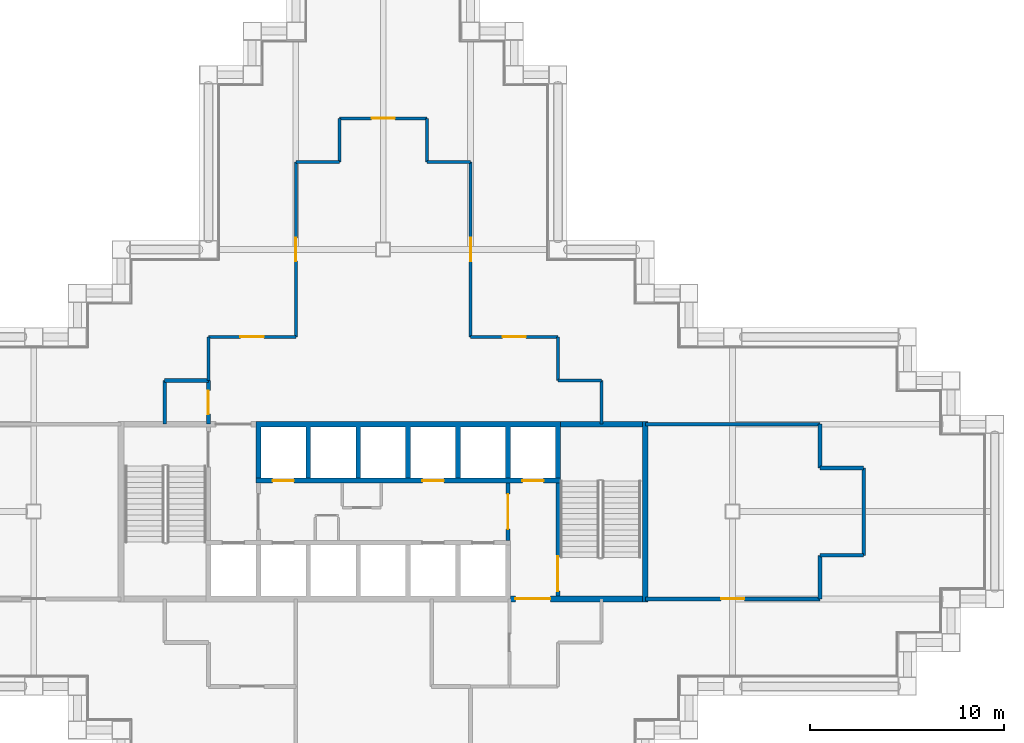
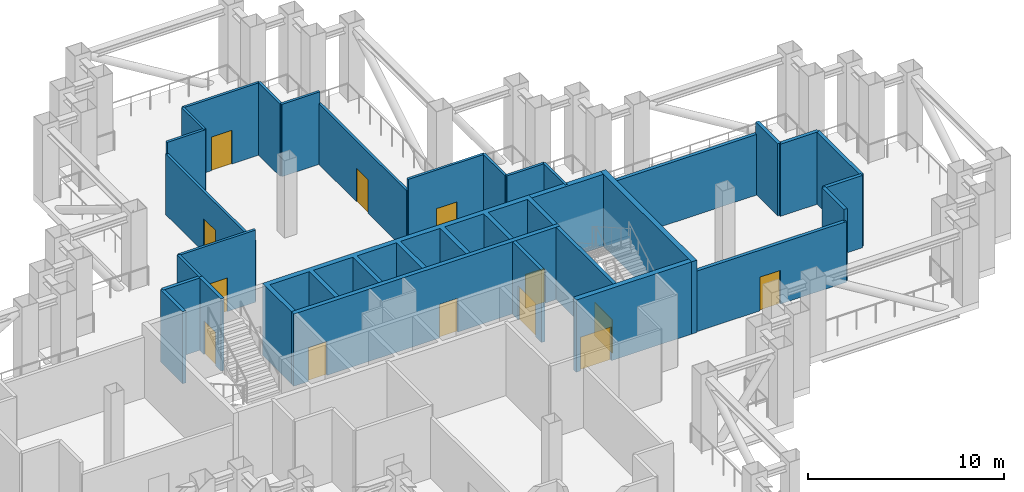
# One storey, part 4 of 10: 30 walls, 13 doors, 13 openings.
"""IFC4 building model written with IfcOpenShell, lengths in metres."""

import ifcopenshell
import ifcopenshell.guid

model = None  # the IFC model being written
_history = None  # IfcOwnerHistory: only IFC2X3 demands one
_inside = {}  # id of a spatial element -> (the spatial element, [elements in it])
_under = {}  # id of a project, library or spatial element -> (it, [spatial elements below it])
_declared = {}  # id of a project -> (the project, [libraries it declares])
_typed = {}  # id of a type object -> (the type object, [elements of that type])
_made_of = {}  # id of a material, layer set ... -> (it, [elements and type objects made of it])


def new_model(schema):
    """Start an empty IFC model of exactly this schema.

    Asked for "IFC4X3", IfcOpenShell would pick the latest addendum, in which some entities
    have other attributes; the version numbers below select the first issue.
    IFC2X3 requires an IfcOwnerHistory on every rooted entity: one is made here for all.
    """
    global model, _history
    if schema == "IFC4X3":
        model = ifcopenshell.file(schema_version=(4, 3, 0, 0))
    else:
        model = ifcopenshell.file(schema=schema)
    _inside.clear()
    _under.clear()
    _declared.clear()
    _typed.clear()
    _made_of.clear()
    _history = None
    if model.schema == "IFC2X3":
        org = make("IfcOrganization", Name="unknown")
        user = make(
            "IfcPersonAndOrganization",
            ThePerson=make("IfcPerson", FamilyName="unknown"),
            TheOrganization=org,
        )
        app = make(
            "IfcApplication",
            ApplicationDeveloper=org,
            Version="unknown",
            ApplicationFullName="unknown",
            ApplicationIdentifier="unknown",
        )
        _history = make(
            "IfcOwnerHistory",
            OwningUser=user,
            OwningApplication=app,
            ChangeAction="ADDED",
            CreationDate=0,
        )
    return model


def make(cls, **values):
    """One entity of the class cls with the attributes given. An attribute that is None is left unset."""
    return model.create_entity(
        cls, **{name: value for name, value in values.items() if value is not None}
    )


def rooted(cls, **values):
    """An entity with a GlobalId (a new one), such as an element, a storey or a relation."""
    return make(cls, GlobalId=ifcopenshell.guid.new(), OwnerHistory=_history, **values)


def si_unit(unit_type, name, prefix=None):
    """IfcSIUnit, for example si_unit("LENGTHUNIT", "METRE", prefix="MILLI")."""
    return make("IfcSIUnit", UnitType=unit_type, Prefix=prefix, Name=name)


def assignment(units):
    """IfcUnitAssignment: the units of a project."""
    return None if units is None else make("IfcUnitAssignment", Units=units)


def point(xyz):
    """IfcCartesianPoint."""
    return None if xyz is None else make("IfcCartesianPoint", Coordinates=xyz)


def direction(xyz):
    """IfcDirection."""
    return None if xyz is None else make("IfcDirection", DirectionRatios=xyz)


def frame(location, z_axis=None, x_axis=None):
    """IfcAxis2Placement3D, a coordinate frame: its origin and axes. An axis left out is left unset."""
    return make(
        "IfcAxis2Placement3D",
        Location=point(location),
        Axis=direction(z_axis),
        RefDirection=direction(x_axis),
    )


def frame_2d(location, x_axis=None):
    """IfcAxis2Placement2D, a coordinate frame in the plane: its origin and x axis."""
    return make(
        "IfcAxis2Placement2D", Location=point(location), RefDirection=direction(x_axis)
    )


def origin():
    """The frame at (0, 0, 0) with its axes left unset."""
    return frame((0.0, 0.0, 0.0))


def place(relative_to, where):
    """IfcLocalPlacement: puts the frame where relative to a parent placement (None: the world)."""
    return make(
        "IfcLocalPlacement", PlacementRelTo=relative_to, RelativePlacement=where
    )


def context(
    kind, dimensions, precision=None, world=None, true_north=None, identifier=None
):
    """IfcGeometricRepresentationContext, for example the 3D "Model" context."""
    return make(
        "IfcGeometricRepresentationContext",
        ContextIdentifier=identifier,
        ContextType=kind,
        CoordinateSpaceDimension=dimensions,
        Precision=precision,
        WorldCoordinateSystem=world,
        TrueNorth=true_north,
    )


def subcontext(parent, identifier, kind, view, scale=None):
    """IfcGeometricRepresentationSubContext, for example "Body" below "Model"."""
    return make(
        "IfcGeometricRepresentationSubContext",
        ContextIdentifier=identifier,
        ContextType=kind,
        ParentContext=parent,
        TargetScale=scale,
        TargetView=view,
    )


def project(units=None, contexts=None):
    """IfcProject with its units and contexts."""
    return rooted(
        "IfcProject",
        Name="project",
        RepresentationContexts=contexts,
        UnitsInContext=assignment(units),
    )


def spatial(cls, under=None, at=None, **own):
    """A site, building, storey or space (cls), placed at a placement, below another one or the project."""
    s = rooted(cls, ObjectPlacement=at, **own)
    if under is not None:
        _under.setdefault(under.id(), (under, []))[1].append(s)
    return s


def polyline(points):
    """IfcPolyline through the points."""
    return make("IfcPolyline", Points=[point(p) for p in points])


def profile(cls, at=None, kind="AREA", **sizes):
    """A parametric profile (cls). Its sizes go by their IFC names, for example OverallWidth=200.0."""
    return make(cls, ProfileType=kind, Position=at, **sizes)


def rectangle(**sizes):
    """IfcRectangleProfileDef."""
    return profile("IfcRectangleProfileDef", **sizes)


def outline(outer, holes=None, kind="AREA"):
    """IfcArbitraryClosedProfileDef: a profile drawn as a closed curve; with holes, ...WithVoids."""
    if holes is None:
        return make("IfcArbitraryClosedProfileDef", ProfileType=kind, OuterCurve=outer)
    return make(
        "IfcArbitraryProfileDefWithVoids",
        ProfileType=kind,
        OuterCurve=outer,
        InnerCurves=holes,
    )


def extrude(swept, where, along, depth):
    """IfcExtrudedAreaSolid: the profile swept, set in the frame where, extruded along a direction by depth."""
    return make(
        "IfcExtrudedAreaSolid",
        SweptArea=swept,
        Position=where,
        ExtrudedDirection=direction(along),
        Depth=depth,
    )


def shape(context_of_items, identifier, shape_type, items):
    """IfcShapeRepresentation: the items that make up one representation, for example the "Body"."""
    return make(
        "IfcShapeRepresentation",
        ContextOfItems=context_of_items,
        RepresentationIdentifier=identifier,
        RepresentationType=shape_type,
        Items=items,
    )


def material(Name=None, Category=None):
    """IfcMaterial."""
    return make("IfcMaterial", Name=Name, Category=Category)


def layer(
    of_material, thickness, ventilated=None, Name=None, Category=None, Priority=None
):
    """IfcMaterialLayer: one layer of a wall or slab, of a material (None: an air gap)."""
    return make(
        "IfcMaterialLayer",
        Material=of_material,
        LayerThickness=thickness,
        IsVentilated=ventilated,
        Name=Name,
        Category=Category,
        Priority=Priority,
    )


def layer_set(layers, Name=None):
    """IfcMaterialLayerSet."""
    return make("IfcMaterialLayerSet", MaterialLayers=layers, LayerSetName=Name)


def made_of(thing, what):
    """Note that an element or type object is made of a material, layer set ...; save() writes the relation."""
    if what is not None:
        _made_of.setdefault(what.id(), (what, []))[1].append(thing)
    return thing


def type_object(cls, material=None, **own):
    """A type object (cls), such as IfcWallType, which elements share."""
    return made_of(rooted(cls, **own), material)


def element(
    cls,
    number,
    at=None,
    inside=None,
    cuts=None,
    type_object=None,
    material=None,
    context=None,
    identifier="Body",
    shape_type=None,
    held_by="IfcProductDefinitionShape",
    body=None,
    shapes=None,
    **own,
):
    """One element of the class cls, such as IfcWall. Its Tag is "e" and its number.

    at: its placement. inside: the storey or other place that contains it. cuts: it is an
    opening in that element (IfcRelVoidsElement). A single representation is given by context,
    identifier, shape_type and body (its items); several are given by shapes. held_by: the class
    of the entity that holds the representations. save() writes the other relations.
    """
    e = rooted(cls, Tag="e%d" % number, ObjectPlacement=at, **own)
    if body is not None:
        shapes = [shape(context, identifier, shape_type, body)]
    if shapes is not None:
        e.Representation = make(held_by, Representations=shapes)
    if inside is not None:
        _inside.setdefault(inside.id(), (inside, []))[1].append(e)
    if cuts is not None:
        rooted(
            "IfcRelVoidsElement", RelatingBuildingElement=cuts, RelatedOpeningElement=e
        )
    if type_object is not None:
        _typed.setdefault(type_object.id(), (type_object, []))[1].append(e)
    return made_of(e, material)


def fill(opening, filler):
    """IfcRelFillsElement: the door or window that sits in an opening."""
    return rooted(
        "IfcRelFillsElement",
        RelatingOpeningElement=opening,
        RelatedBuildingElement=filler,
    )


def aggregate(whole, parts):
    """IfcRelAggregates: a whole, such as a stair, and the parts it consists of."""
    return rooted("IfcRelAggregates", RelatingObject=whole, RelatedObjects=parts)


def save(model, path):
    """Write the relations noted so far, then the file.

    IfcRelAggregates (storeys below a building ...), IfcRelContainedInSpatialStructure (elements
    in a storey), IfcRelDefinesByType, IfcRelAssociatesMaterial and IfcRelDeclares: one each for
    every whole, place, type object, material and project.
    """
    for whole, parts in _under.values():
        aggregate(whole, parts)
    for where, things in _inside.values():
        rooted(
            "IfcRelContainedInSpatialStructure",
            RelatedElements=things,
            RelatingStructure=where,
        )
    for kind, things in _typed.values():
        rooted("IfcRelDefinesByType", RelatedObjects=things, RelatingType=kind)
    for what, things in _made_of.values():
        rooted("IfcRelAssociatesMaterial", RelatedObjects=things, RelatingMaterial=what)
    for by, libraries in _declared.values():
        rooted("IfcRelDeclares", RelatingContext=by, RelatedDefinitions=libraries)
    model.write(path)


model = new_model("IFC4")

# Units and contexts
model_context = context("Model", 3, precision=1e-05, world=origin(), true_north=direction((0.0, 1.0)))
body_context = subcontext(model_context, "Body", "Model", "MODEL_VIEW")
ifc_project = project(units=[si_unit("LENGTHUNIT", "METRE"), si_unit("AREAUNIT", "SQUARE_METRE"), si_unit("VOLUMEUNIT", "CUBIC_METRE"), si_unit("PLANEANGLEUNIT", "RADIAN"), si_unit("MASSUNIT", "GRAM", prefix="KILO")], contexts=[model_context])

# Site, building, storey
site_placement = place(None, origin())
site = spatial("IfcSite", under=ifc_project, at=site_placement, CompositionType="ELEMENT")
building_placement = place(site_placement, origin())
building = spatial("IfcBuilding", under=site, at=building_placement, Name="Caravel Reach Hotel and Residences", CompositionType="ELEMENT")
storey_placement = place(building_placement, frame((0.0, 0.0, 96.0)))
storey = spatial("IfcBuildingStorey", under=building, at=storey_placement, Name="L23", CompositionType="ELEMENT", Elevation=96.0)

# Wall, opening, door
ifc_material_1 = material(Name="Autoclaved aerated block wall")
ifc_layer_1 = layer(ifc_material_1, 0.199951171875)
ifc_layer_set_1 = layer_set([ifc_layer_1], Name="Compartment wall 200 mm EI 120")
wall_type_1 = type_object("IfcWallType", Name="Compartment wall 200 mm EI 120", PredefinedType="PARTITIONING", material=ifc_layer_set_1)
wall_1_placement = place(storey_placement, frame((45.0, 22.5, 0.0), z_axis=(0.0, 0.0, 1.0), x_axis=(1.0, 0.0, 0.0)))
wall_1 = element("IfcWall", 1, at=wall_1_placement, inside=storey, type_object=wall_type_1, Name="L23 wall w024", PredefinedType="PARTITIONING", context=body_context, shape_type="SweptSolid", body=[
    extrude(rectangle(XDim=9.0, YDim=0.199951171875, at=frame_2d((4.5, 0.0))), origin(), (0.0, 0.0, 1.0), 3.780029296875),
])
opening_1_placement = place(wall_1_placement, frame((3.89990234375, 0.0, 0.0)))
opening_1 = element("IfcOpeningElement", 2, at=opening_1_placement, cuts=wall_1, Name="Opening D23-021", PredefinedType="OPENING", context=body_context, shape_type="SweptSolid", body=[
    extrude(rectangle(XDim=1.199951171875, YDim=2.10009765625, at=frame_2d((0.60009765625, 1.050048828125))), frame((0.0, 0.10986328125, 0.0), z_axis=(0.0, -1.0, 0.0), x_axis=(1.0, 0.0, 0.0)), (0.0, 0.0, 1.0), 0.219970703125),
])
ifc_material_2 = material(Name="Steel fire door leaf", Category="steel")
door_type_1 = type_object("IfcDoorType", Name="Plant room door 1200 x 2100 EI 60", OperationType="SINGLE_SWING_LEFT", PredefinedType="DOOR", material=ifc_material_2)
door_1_placement = place(opening_1_placement, origin())
door_1 = element("IfcDoor", 3, at=door_1_placement, inside=storey, type_object=door_type_1, Name="door D23-021", OperationType="SINGLE_SWING_RIGHT", OverallHeight=2.10009765625, OverallWidth=1.199951171875, PredefinedType="DOOR", context=body_context, shape_type="SweptSolid", body=[
    extrude(rectangle(XDim=1.199951171875, YDim=2.10009765625, at=frame_2d((0.60009765625, 1.050048828125))), frame((0.0, 0.02490234375, 0.0), z_axis=(0.0, -1.0, 0.0), x_axis=(1.0, 0.0, 0.0)), (0.0, 0.0, 1.0), 0.050048828125),
])
fill(opening_1, door_1)

# Walls
for number, where, z_axis, x_axis, name in (
    (4, (54.0, 24.75, 0.0), (0.0, 0.0, 1.0), (1.0, 0.0, 0.0), "L23 wall w026"),
    (5, (54.0, 29.25, 0.0), (0.0, 0.0, 1.0), (1.0, 0.0, 0.0), "L23 wall w028"),
):
    element("IfcWall", number, at=place(storey_placement, frame(where, z_axis=z_axis, x_axis=x_axis)), inside=storey, type_object=wall_type_1, Name=name, PredefinedType="PARTITIONING", context=body_context, shape_type="SweptSolid", body=[
        extrude(rectangle(XDim=2.25, YDim=0.199951171875, at=frame_2d((1.125, 0.0))), origin(), (0.0, 0.0, 1.0), 4.5),
    ])
wall_2_placement = place(storey_placement, frame((45.0, 31.5, 0.0), z_axis=(0.0, 0.0, 1.0), x_axis=(1.0, 0.0, 0.0)))
element("IfcWall", 6, at=wall_2_placement, inside=storey, type_object=wall_type_1, Name="L23 wall w030", PredefinedType="PARTITIONING", context=body_context, shape_type="SweptSolid", body=[
    extrude(rectangle(XDim=9.0, YDim=0.199951171875, at=frame_2d((4.5, 0.0))), origin(), (0.0, 0.0, 1.0), 3.780029296875),
])
for number, where, z_axis, x_axis, name in (
    (7, (20.25, 33.75, 0.0), (0.0, 0.0, 1.0), (1.0, 0.0, 0.0), "L23 wall w031"),
    (8, (20.25, 31.5, 0.0), (0.0, 0.0, 1.0), (0.0, 1.0, 0.0), "L23 wall w036"),
):
    element("IfcWall", number, at=place(storey_placement, frame(where, z_axis=z_axis, x_axis=x_axis)), inside=storey, type_object=wall_type_1, Name=name, PredefinedType="PARTITIONING", context=body_context, shape_type="SweptSolid", body=[
        extrude(rectangle(XDim=2.25, YDim=0.199951171875, at=frame_2d((1.125, 0.0))), origin(), (0.0, 0.0, 1.0), 4.5),
    ])

# Wall, opening, door
wall_3_placement = place(storey_placement, frame((22.5, 31.5, 0.0), z_axis=(0.0, 0.0, 1.0), x_axis=(0.0, 1.0, 0.0)))
wall_3 = element("IfcWall", 9, at=wall_3_placement, inside=storey, type_object=wall_type_1, Name="L23 wall w038", PredefinedType="PARTITIONING", context=body_context, shape_type="SweptSolid", body=[
    extrude(rectangle(XDim=2.25, YDim=0.199951171875, at=frame_2d((1.125, 0.0))), origin(), (0.0, 0.0, 1.0), 4.5),
])
opening_2_placement = place(wall_3_placement, frame((0.52490234375, 0.0, 0.0)))
opening_2 = element("IfcOpeningElement", 10, at=opening_2_placement, cuts=wall_3, Name="Opening D23-018", PredefinedType="OPENING", context=body_context, shape_type="SweptSolid", body=[
    extrude(rectangle(XDim=1.199951171875, YDim=2.10009765625, at=frame_2d((0.60009765625, 1.050048828125))), frame((0.0, 0.10986328125, 0.0), z_axis=(0.0, -1.0, 0.0), x_axis=(1.0, 0.0, 0.0)), (0.0, 0.0, 1.0), 0.219970703125),
])
door_2_placement = place(opening_2_placement, origin())
door_2 = element("IfcDoor", 11, at=door_2_placement, inside=storey, type_object=door_type_1, Name="door D23-018", OperationType="SINGLE_SWING_RIGHT", OverallHeight=2.10009765625, OverallWidth=1.199951171875, PredefinedType="DOOR", context=body_context, shape_type="SweptSolid", body=[
    extrude(rectangle(XDim=1.199951171875, YDim=2.10009765625, at=frame_2d((0.60009765625, 1.050048828125))), frame((0.0, 0.02490234375, 0.0), z_axis=(0.0, -1.0, 0.0), x_axis=(1.0, 0.0, 0.0)), (0.0, 0.0, 1.0), 0.050048828125),
])
fill(opening_2, door_2)

# Walls
for number, where, z_axis, x_axis, name in (
    (12, (54.0, 22.5, 0.0), (0.0, 0.0, 1.0), (0.0, 1.0, 0.0), "L23 wall w045"),
    (13, (54.0, 29.25, 0.0), (0.0, 0.0, 1.0), (0.0, 1.0, 0.0), "L23 wall w046"),
):
    element("IfcWall", number, at=place(storey_placement, frame(where, z_axis=z_axis, x_axis=x_axis)), inside=storey, type_object=wall_type_1, Name=name, PredefinedType="PARTITIONING", context=body_context, shape_type="SweptSolid", body=[
        extrude(rectangle(XDim=2.25, YDim=0.199951171875, at=frame_2d((1.125, 0.0))), origin(), (0.0, 0.0, 1.0), 4.5),
    ])
wall_4_placement = place(storey_placement, frame((56.25, 24.75, 0.0), z_axis=(0.0, 0.0, 1.0), x_axis=(0.0, 1.0, 0.0)))
element("IfcWall", 14, at=wall_4_placement, inside=storey, type_object=wall_type_1, Name="L23 wall w047", PredefinedType="PARTITIONING", context=body_context, shape_type="SweptSolid", body=[
    extrude(rectangle(XDim=4.5, YDim=0.199951171875, at=frame_2d((2.25, 0.0))), origin(), (0.0, 0.0, 1.0), 4.5),
])

# Wall, opening, door
ifc_material_3 = material(Name="Concrete C60", Category="concrete")
ifc_layer_2 = layer(ifc_material_3, 0.300048828125)
ifc_layer_set_2 = layer_set([ifc_layer_2], Name="Core wall 300 mm EI 120")
wall_type_2 = type_object("IfcWallType", Name="Core wall 300 mm EI 120", PredefinedType="SHEAR", material=ifc_layer_set_2)
wall_5_placement = place(storey_placement, frame((38.053466796875, 22.5, 0.0), z_axis=(0.0, 0.0, 1.0), x_axis=(1.0, 0.0, 0.0)))
wall_5 = element("IfcWall", 15, at=wall_5_placement, inside=storey, type_object=wall_type_2, Name="L23 core wall S2", PredefinedType="SHEAR", context=body_context, shape_type="SweptSolid", body=[
    extrude(rectangle(XDim=6.796630859375, YDim=0.300048828125, at=frame_2d((3.3984375, 0.0))), origin(), (0.0, 0.0, 1.0), 4.5),
])
opening_3_placement = place(wall_5_placement, frame((0.2607421875, 0.0, 0.0)))
opening_3 = element("IfcOpeningElement", 16, at=opening_3_placement, cuts=wall_5, Name="Opening D23-015", PredefinedType="OPENING", context=body_context, shape_type="SweptSolid", body=[
    extrude(rectangle(XDim=1.800048828125, YDim=2.10009765625, at=frame_2d((0.89990234375, 1.050048828125))), frame((0.0, 0.159912109375, 0.0), z_axis=(0.0, -1.0, 0.0), x_axis=(1.0, 0.0, 0.0)), (0.0, 0.0, 1.0), 0.320068359375),
])
ifc_material_4 = material(Name="Steel fire door leaf", Category="steel")
door_type_2 = type_object("IfcDoorType", Name="Fire lobby door pair 1800 x 2100 EI 90", OperationType="DOUBLE_DOOR_SINGLE_SWING", PredefinedType="DOOR", material=ifc_material_4)
door_3_placement = place(opening_3_placement, origin())
door_3 = element("IfcDoor", 17, at=door_3_placement, inside=storey, type_object=door_type_2, Name="lobby S door pair to corridor", OperationType="DOUBLE_DOOR_SINGLE_SWING", OverallHeight=2.10009765625, OverallWidth=1.800048828125, PredefinedType="DOOR", context=body_context, shape_type="SweptSolid", body=[
    extrude(rectangle(XDim=1.800048828125, YDim=2.10009765625, at=frame_2d((0.89990234375, 1.050048828125))), frame((0.0, 0.02490234375, 0.0), z_axis=(0.0, -1.0, 0.0), x_axis=(1.0, 0.0, 0.0)), (0.0, 0.0, 1.0), 0.050048828125),
])
fill(opening_3, door_3)

# Walls
wall_6_placement = place(storey_placement, frame((40.625, 31.5, 0.0), z_axis=(0.0, 0.0, 1.0), x_axis=(1.0, 0.0, 0.0)))
element("IfcWall", 18, at=wall_6_placement, inside=storey, type_object=wall_type_2, Name="L23 core wall N2", PredefinedType="SHEAR", context=body_context, shape_type="SweptSolid", body=[
    extrude(rectangle(XDim=4.22509765625, YDim=0.300048828125, at=frame_2d((2.112548828125, 0.0))), origin(), (0.0, 0.0, 1.0), 4.5),
])
wall_7_placement = place(storey_placement, frame((45.0, 22.35009765625, 0.0), z_axis=(0.0, 0.0, 1.0), x_axis=(0.0, 1.0, 0.0)))
element("IfcWall", 19, at=wall_7_placement, inside=storey, type_object=wall_type_2, Name="L23 core wall E", PredefinedType="SHEAR", context=body_context, shape_type="SweptSolid", body=[
    extrude(rectangle(XDim=9.2998046875, YDim=0.300048828125, at=frame_2d((4.64990234375, 0.0))), origin(), (0.0, 0.0, 1.0), 4.5),
])
ifc_material_5 = material(Name="Gypsum board on steel stud, fire-rated", Category="steel")
ifc_layer_3 = layer(ifc_material_5, 0.14990234375)
ifc_layer_set_3 = layer_set([ifc_layer_3], Name="Corridor wall 150 mm EI 60")
wall_type_3 = type_object("IfcWallType", Name="Corridor wall 150 mm EI 60", PredefinedType="PARTITIONING", material=ifc_layer_set_3)
wall_8_placement = place(storey_placement, frame((40.5, 33.75, 0.0), z_axis=(0.0, 0.0, 1.0), x_axis=(1.0, 0.0, 0.0)))
element("IfcWall", 20, at=wall_8_placement, inside=storey, type_object=wall_type_3, Name="L23 wall w004", PredefinedType="PARTITIONING", context=body_context, shape_type="SweptSolid", body=[
    extrude(rectangle(XDim=2.25, YDim=0.14990234375, at=frame_2d((1.125, 0.0))), origin(), (0.0, 0.0, 1.0), 4.5),
])

# Wall, opening, door
wall_9_placement = place(storey_placement, frame((22.5, 36.0, 0.0), z_axis=(0.0, 0.0, 1.0), x_axis=(1.0, 0.0, 0.0)))
wall_9 = element("IfcWall", 21, at=wall_9_placement, inside=storey, type_object=wall_type_3, Name="L23 wall w005", PredefinedType="PARTITIONING", context=body_context, shape_type="SweptSolid", body=[
    extrude(rectangle(XDim=4.5, YDim=0.14990234375, at=frame_2d((2.25, 0.0))), origin(), (0.0, 0.0, 1.0), 4.5),
])
opening_4_placement = place(wall_9_placement, frame((1.64990234375, 0.0, 0.0)))
opening_4 = element("IfcOpeningElement", 22, at=opening_4_placement, cuts=wall_9, Name="Opening D23-024", PredefinedType="OPENING", context=body_context, shape_type="SweptSolid", body=[
    extrude(rectangle(XDim=1.199951171875, YDim=2.10009765625, at=frame_2d((0.60009765625, 1.050048828125))), frame((0.0, 0.0849609375, 0.0), z_axis=(0.0, -1.0, 0.0), x_axis=(1.0, 0.0, 0.0)), (0.0, 0.0, 1.0), 0.169921875),
])
ifc_material_6 = material(Name="Steel fire door leaf", Category="steel")
door_type_3 = type_object("IfcDoorType", Name="Refuge hall door 1200 x 2100 EI 60", OperationType="SINGLE_SWING_LEFT", PredefinedType="DOOR", material=ifc_material_6)
door_4_placement = place(opening_4_placement, origin())
door_4 = element("IfcDoor", 23, at=door_4_placement, inside=storey, type_object=door_type_3, Name="door D23-024", OperationType="SINGLE_SWING_RIGHT", OverallHeight=2.10009765625, OverallWidth=1.199951171875, PredefinedType="DOOR", context=body_context, shape_type="SweptSolid", body=[
    extrude(rectangle(XDim=1.199951171875, YDim=2.10009765625, at=frame_2d((0.60009765625, 1.050048828125))), frame((0.0, 0.02490234375, 0.0), z_axis=(0.0, -1.0, 0.0), x_axis=(1.0, 0.0, 0.0)), (0.0, 0.0, 1.0), 0.050048828125),
])
fill(opening_4, door_4)

wall_10_placement = place(storey_placement, frame((36.0, 36.0, 0.0), z_axis=(0.0, 0.0, 1.0), x_axis=(1.0, 0.0, 0.0)))
wall_10 = element("IfcWall", 24, at=wall_10_placement, inside=storey, type_object=wall_type_3, Name="L23 wall w006", PredefinedType="PARTITIONING", context=body_context, shape_type="SweptSolid", body=[
    extrude(rectangle(XDim=4.5, YDim=0.14990234375, at=frame_2d((2.25, 0.0))), origin(), (0.0, 0.0, 1.0), 4.5),
])
opening_5_placement = place(wall_10_placement, frame((1.64990234375, 0.0, 0.0)))
opening_5 = element("IfcOpeningElement", 25, at=opening_5_placement, cuts=wall_10, Name="Opening D23-025", PredefinedType="OPENING", context=body_context, shape_type="SweptSolid", body=[
    extrude(rectangle(XDim=1.199951171875, YDim=2.10009765625, at=frame_2d((0.60009765625, 1.050048828125))), frame((0.0, 0.0849609375, 0.0), z_axis=(0.0, -1.0, 0.0), x_axis=(1.0, 0.0, 0.0)), (0.0, 0.0, 1.0), 0.169921875),
])
door_5_placement = place(opening_5_placement, origin())
door_5 = element("IfcDoor", 26, at=door_5_placement, inside=storey, type_object=door_type_3, Name="door D23-025", OperationType="SINGLE_SWING_LEFT", OverallHeight=2.10009765625, OverallWidth=1.199951171875, PredefinedType="DOOR", context=body_context, shape_type="SweptSolid", body=[
    extrude(rectangle(XDim=1.199951171875, YDim=2.10009765625, at=frame_2d((0.60009765625, 1.050048828125))), frame((0.0, 0.02490234375, 0.0), z_axis=(0.0, -1.0, 0.0), x_axis=(1.0, 0.0, 0.0)), (0.0, 0.0, 1.0), 0.050048828125),
])
fill(opening_5, door_5)

# Walls
for number, where, z_axis, x_axis, name in (
    (27, (27.0, 45.0, 0.0), (0.0, 0.0, 1.0), (1.0, 0.0, 0.0), "L23 wall w007"),
    (28, (33.75, 45.0, 0.0), (0.0, 0.0, 1.0), (1.0, 0.0, 0.0), "L23 wall w008"),
):
    element("IfcWall", number, at=place(storey_placement, frame(where, z_axis=z_axis, x_axis=x_axis)), inside=storey, type_object=wall_type_3, Name=name, PredefinedType="PARTITIONING", context=body_context, shape_type="SweptSolid", body=[
        extrude(rectangle(XDim=2.25, YDim=0.14990234375, at=frame_2d((1.125, 0.0))), origin(), (0.0, 0.0, 1.0), 4.5),
    ])

# Wall, opening, door
wall_11_placement = place(storey_placement, frame((29.25, 47.25, 0.0), z_axis=(0.0, 0.0, 1.0), x_axis=(1.0, 0.0, 0.0)))
wall_11 = element("IfcWall", 29, at=wall_11_placement, inside=storey, type_object=wall_type_3, Name="L23 wall w009", PredefinedType="PARTITIONING", context=body_context, shape_type="SweptSolid", body=[
    extrude(rectangle(XDim=4.5, YDim=0.14990234375, at=frame_2d((2.25, 0.0))), origin(), (0.0, 0.0, 1.0), 4.5),
])
opening_6_placement = place(wall_11_placement, frame((1.64990234375, 0.0, 0.0)))
opening_6 = element("IfcOpeningElement", 30, at=opening_6_placement, cuts=wall_11, Name="Opening D23-026", PredefinedType="OPENING", context=body_context, shape_type="SweptSolid", body=[
    extrude(rectangle(XDim=1.199951171875, YDim=2.10009765625, at=frame_2d((0.60009765625, 1.050048828125))), frame((0.0, 0.0849609375, 0.0), z_axis=(0.0, -1.0, 0.0), x_axis=(1.0, 0.0, 0.0)), (0.0, 0.0, 1.0), 0.169921875),
])
door_6_placement = place(opening_6_placement, origin())
door_6 = element("IfcDoor", 31, at=door_6_placement, inside=storey, type_object=door_type_3, Name="door D23-026", OperationType="SINGLE_SWING_RIGHT", OverallHeight=2.10009765625, OverallWidth=1.199951171875, PredefinedType="DOOR", context=body_context, shape_type="SweptSolid", body=[
    extrude(rectangle(XDim=1.199951171875, YDim=2.10009765625, at=frame_2d((0.60009765625, 1.050048828125))), frame((0.0, 0.02490234375, 0.0), z_axis=(0.0, -1.0, 0.0), x_axis=(1.0, 0.0, 0.0)), (0.0, 0.0, 1.0), 0.050048828125),
])
fill(opening_6, door_6)

# Wall
wall_12_placement = place(storey_placement, frame((22.5, 33.75, 0.0), z_axis=(0.0, 0.0, 1.0), x_axis=(0.0, 1.0, 0.0)))
element("IfcWall", 32, at=wall_12_placement, inside=storey, type_object=wall_type_3, Name="L23 wall w010", PredefinedType="PARTITIONING", context=body_context, shape_type="SweptSolid", body=[
    extrude(rectangle(XDim=2.25, YDim=0.14990234375, at=frame_2d((1.125, 0.0))), origin(), (0.0, 0.0, 1.0), 4.5),
])

# Wall, opening, door
wall_13_placement = place(storey_placement, frame((27.0, 36.0, 0.0), z_axis=(0.0, 0.0, 1.0), x_axis=(0.0, 1.0, 0.0)))
wall_13 = element("IfcWall", 33, at=wall_13_placement, inside=storey, type_object=wall_type_3, Name="L23 wall w011", PredefinedType="PARTITIONING", context=body_context, shape_type="SweptSolid", body=[
    extrude(rectangle(XDim=9.0, YDim=0.14990234375, at=frame_2d((4.5, 0.0))), origin(), (0.0, 0.0, 1.0), 3.780029296875),
])
opening_7_placement = place(wall_13_placement, frame((3.89990234375, 0.0, 0.0)))
opening_7 = element("IfcOpeningElement", 34, at=opening_7_placement, cuts=wall_13, Name="Opening D23-022", PredefinedType="OPENING", context=body_context, shape_type="SweptSolid", body=[
    extrude(rectangle(XDim=1.199951171875, YDim=2.10009765625, at=frame_2d((0.60009765625, 1.050048828125))), frame((0.0, 0.0849609375, 0.0), z_axis=(0.0, -1.0, 0.0), x_axis=(1.0, 0.0, 0.0)), (0.0, 0.0, 1.0), 0.169921875),
])
door_7_placement = place(opening_7_placement, origin())
door_7 = element("IfcDoor", 35, at=door_7_placement, inside=storey, type_object=door_type_3, Name="door D23-022", OperationType="SINGLE_SWING_RIGHT", OverallHeight=2.10009765625, OverallWidth=1.199951171875, PredefinedType="DOOR", context=body_context, shape_type="SweptSolid", body=[
    extrude(rectangle(XDim=1.199951171875, YDim=2.10009765625, at=frame_2d((0.60009765625, 1.050048828125))), frame((0.0, 0.02490234375, 0.0), z_axis=(0.0, -1.0, 0.0), x_axis=(1.0, 0.0, 0.0)), (0.0, 0.0, 1.0), 0.050048828125),
])
fill(opening_7, door_7)

# Walls
for number, where, z_axis, x_axis, name in (
    (36, (29.25, 45.0, 0.0), (0.0, 0.0, 1.0), (0.0, 1.0, 0.0), "L23 wall w012"),
    (37, (33.75, 45.0, 0.0), (0.0, 0.0, 1.0), (0.0, 1.0, 0.0), "L23 wall w013"),
):
    element("IfcWall", number, at=place(storey_placement, frame(where, z_axis=z_axis, x_axis=x_axis)), inside=storey, type_object=wall_type_3, Name=name, PredefinedType="PARTITIONING", context=body_context, shape_type="SweptSolid", body=[
        extrude(rectangle(XDim=2.25, YDim=0.14990234375, at=frame_2d((1.125, 0.0))), origin(), (0.0, 0.0, 1.0), 4.5),
    ])

# Wall, opening, door
wall_14_placement = place(storey_placement, frame((36.0, 36.0, 0.0), z_axis=(0.0, 0.0, 1.0), x_axis=(0.0, 1.0, 0.0)))
wall_14 = element("IfcWall", 38, at=wall_14_placement, inside=storey, type_object=wall_type_3, Name="L23 wall w014", PredefinedType="PARTITIONING", context=body_context, shape_type="SweptSolid", body=[
    extrude(rectangle(XDim=9.0, YDim=0.14990234375, at=frame_2d((4.5, 0.0))), origin(), (0.0, 0.0, 1.0), 3.780029296875),
])
opening_8_placement = place(wall_14_placement, frame((3.89990234375, 0.0, 0.0)))
opening_8 = element("IfcOpeningElement", 39, at=opening_8_placement, cuts=wall_14, Name="Opening D23-023", PredefinedType="OPENING", context=body_context, shape_type="SweptSolid", body=[
    extrude(rectangle(XDim=1.199951171875, YDim=2.10009765625, at=frame_2d((0.60009765625, 1.050048828125))), frame((0.0, 0.0849609375, 0.0), z_axis=(0.0, -1.0, 0.0), x_axis=(1.0, 0.0, 0.0)), (0.0, 0.0, 1.0), 0.169921875),
])
door_8_placement = place(opening_8_placement, origin())
door_8 = element("IfcDoor", 40, at=door_8_placement, inside=storey, type_object=door_type_3, Name="door D23-023", OperationType="SINGLE_SWING_RIGHT", OverallHeight=2.10009765625, OverallWidth=1.199951171875, PredefinedType="DOOR", context=body_context, shape_type="SweptSolid", body=[
    extrude(rectangle(XDim=1.199951171875, YDim=2.10009765625, at=frame_2d((0.60009765625, 1.050048828125))), frame((0.0, 0.02490234375, 0.0), z_axis=(0.0, -1.0, 0.0), x_axis=(1.0, 0.0, 0.0)), (0.0, 0.0, 1.0), 0.050048828125),
])
fill(opening_8, door_8)

# Walls
for number, where, z_axis, x_axis, name in (
    (41, (40.5, 33.75, 0.0), (0.0, 0.0, 1.0), (0.0, 1.0, 0.0), "L23 wall w016"),
    (42, (42.75, 31.5, 0.0), (0.0, 0.0, 1.0), (0.0, 1.0, 0.0), "L23 wall w018"),
):
    element("IfcWall", number, at=place(storey_placement, frame(where, z_axis=z_axis, x_axis=x_axis)), inside=storey, type_object=wall_type_3, Name=name, PredefinedType="PARTITIONING", context=body_context, shape_type="SweptSolid", body=[
        extrude(rectangle(XDim=2.25, YDim=0.14990234375, at=frame_2d((1.125, 0.0))), origin(), (0.0, 0.0, 1.0), 4.5),
    ])

# Wall, opening, door
ifc_material_7 = material(Name="Autoclaved aerated block wall")
ifc_layer_4 = layer(ifc_material_7, 0.199951171875)
ifc_layer_set_4 = layer_set([ifc_layer_4], Name="Fire lobby wall 200 mm EI 120")
wall_type_4 = type_object("IfcWallType", Name="Fire lobby wall 200 mm EI 120", PredefinedType="PARTITIONING", material=ifc_layer_set_4)
wall_15_placement = place(storey_placement, frame((37.928466796875, 25.52490234375, 0.0), z_axis=(0.0, 0.0, 1.0), x_axis=(0.0, 1.0, 0.0)))
wall_15 = element("IfcWall", 43, at=wall_15_placement, inside=storey, type_object=wall_type_4, Name="L23 lobby E wall", PredefinedType="PARTITIONING", context=body_context, shape_type="SweptSolid", body=[
    extrude(rectangle(XDim=2.9501953125, YDim=0.199951171875, at=frame_2d((1.47509765625, 0.0))), origin(), (0.0, 0.0, 1.0), 4.5),
])
opening_9_placement = place(wall_15_placement, frame((0.574951171875, 0.0, 0.0)))
opening_9 = element("IfcOpeningElement", 44, at=opening_9_placement, cuts=wall_15, Name="Opening D23-013", PredefinedType="OPENING", context=body_context, shape_type="SweptSolid", body=[
    extrude(rectangle(XDim=1.800048828125, YDim=2.10009765625, at=frame_2d((0.89990234375, 1.050048828125))), frame((0.0, 0.10986328125, 0.0), z_axis=(0.0, -1.0, 0.0), x_axis=(1.0, 0.0, 0.0)), (0.0, 0.0, 1.0), 0.219970703125),
])
door_9_placement = place(opening_9_placement, origin())
door_9 = element("IfcDoor", 45, at=door_9_placement, inside=storey, type_object=door_type_2, Name="lobby E door pair", OperationType="DOUBLE_DOOR_SINGLE_SWING", OverallHeight=2.10009765625, OverallWidth=1.800048828125, PredefinedType="DOOR", context=body_context, shape_type="SweptSolid", body=[
    extrude(rectangle(XDim=1.800048828125, YDim=2.10009765625, at=frame_2d((0.89990234375, 1.050048828125))), frame((0.0, 0.02490234375, 0.0), z_axis=(0.0, -1.0, 0.0), x_axis=(1.0, 0.0, 0.0)), (0.0, 0.0, 1.0), 0.050048828125),
])
fill(opening_9, door_9)

# Wall
ifc_material_8 = material(Name="Concrete C60", Category="concrete")
ifc_layer_5 = layer(ifc_material_8, 0.25)
ifc_layer_set_5 = layer_set([ifc_layer_5], Name="Shaft wall 250 mm EI 120")
wall_type_5 = type_object("IfcWallType", Name="Shaft wall 250 mm EI 120", PredefinedType="SHEAR", material=ifc_layer_set_5)
wall_16_placement = place(storey_placement, origin())
element("IfcWall", 46, at=wall_16_placement, inside=storey, type_object=wall_type_5, Name="L23 lift shaft wall N1", PredefinedType="SHEAR", context=body_context, shape_type="SweptSolid", body=[
    extrude(outline(polyline([(24.946533203125, 28.72509765625), (25.196533203125, 28.72509765625), (25.196533203125, 31.35009765625), (27.517822265625, 31.35009765625), (27.517822265625, 28.72509765625), (27.767822265625, 28.72509765625), (27.767822265625, 31.35009765625), (30.08935546875, 31.35009765625), (30.08935546875, 28.72509765625), (30.33935546875, 28.72509765625), (30.33935546875, 31.35009765625), (32.66064453125, 31.35009765625), (32.66064453125, 28.72509765625), (32.91064453125, 28.72509765625), (32.91064453125, 31.35009765625), (35.232177734375, 31.35009765625), (35.232177734375, 28.72509765625), (35.482177734375, 28.72509765625), (35.482177734375, 31.35009765625), (37.803466796875, 31.35009765625), (37.803466796875, 28.72509765625), (38.053466796875, 28.72509765625), (38.053466796875, 31.35009765625), (40.375, 31.35009765625), (40.375, 28.72509765625), (40.625, 28.72509765625), (40.625, 31.64990234375), (24.946533203125, 31.64990234375), (24.946533203125, 28.72509765625)])), origin(), (0.0, 0.0, 1.0), 4.5),
])

# Wall, openings, doors
wall_17_placement = place(storey_placement, frame((24.946533203125, 28.60009765625, 0.0), z_axis=(0.0, 0.0, 1.0), x_axis=(1.0, 0.0, 0.0)))
wall_17 = element("IfcWall", 47, at=wall_17_placement, inside=storey, type_object=wall_type_5, Name="L23 lobby wall N1", PredefinedType="SHEAR", context=body_context, shape_type="SweptSolid", body=[
    extrude(rectangle(XDim=15.678466796875, YDim=0.25, at=frame_2d((7.83935546875, 0.0))), origin(), (0.0, 0.0, 1.0), 4.5),
])
opening_10_placement = place(wall_17_placement, frame((0.860595703125, 0.0, 0.0)))
opening_10 = element("IfcOpeningElement", 48, at=opening_10_placement, cuts=wall_17, Name="Opening D23-004", PredefinedType="OPENING", context=body_context, shape_type="SweptSolid", body=[
    extrude(rectangle(XDim=1.10009765625, YDim=2.10009765625, at=frame_2d((0.550048828125, 1.050048828125))), frame((0.0, 0.135009765625, 0.0), z_axis=(0.0, -1.0, 0.0), x_axis=(1.0, 0.0, 0.0)), (0.0, 0.0, 1.0), 0.27001953125),
])
opening_11_placement = place(wall_17_placement, frame((8.574951171875, 0.0, 0.0)))
opening_11 = element("IfcOpeningElement", 49, at=opening_11_placement, cuts=wall_17, Name="Opening D23-005", PredefinedType="OPENING", context=body_context, shape_type="SweptSolid", body=[
    extrude(rectangle(XDim=1.10009765625, YDim=2.10009765625, at=frame_2d((0.550048828125, 1.050048828125))), frame((0.0, 0.135009765625, 0.0), z_axis=(0.0, -1.0, 0.0), x_axis=(1.0, 0.0, 0.0)), (0.0, 0.0, 1.0), 0.27001953125),
])
opening_12_placement = place(wall_17_placement, frame((13.718017578125, 0.0, 0.0)))
opening_12 = element("IfcOpeningElement", 50, at=opening_12_placement, cuts=wall_17, Name="Opening D23-007", PredefinedType="OPENING", context=body_context, shape_type="SweptSolid", body=[
    extrude(rectangle(XDim=1.10009765625, YDim=2.10009765625, at=frame_2d((0.550048828125, 1.050048828125))), frame((0.0, 0.135009765625, 0.0), z_axis=(0.0, -1.0, 0.0), x_axis=(1.0, 0.0, 0.0)), (0.0, 0.0, 1.0), 0.27001953125),
])
ifc_material_9 = material(Name="Stainless steel landing door", Category="steel")
door_type_4 = type_object("IfcDoorType", Name="Landing door LD 1100 x 2100 sliding", OperationType="DOUBLE_DOOR_SLIDING", PredefinedType="DOOR", material=ifc_material_9)
door_10_placement = place(opening_10_placement, origin())
door_10 = element("IfcDoor", 51, at=door_10_placement, inside=storey, type_object=door_type_4, Name="LP4 landing door", OperationType="DOUBLE_DOOR_SLIDING", OverallHeight=2.10009765625, OverallWidth=1.10009765625, PredefinedType="DOOR", context=body_context, shape_type="SweptSolid", body=[
    extrude(rectangle(XDim=1.10009765625, YDim=2.10009765625, at=frame_2d((0.550048828125, 1.050048828125))), frame((0.0, 0.02490234375, 0.0), z_axis=(0.0, -1.0, 0.0), x_axis=(1.0, 0.0, 0.0)), (0.0, 0.0, 1.0), 0.050048828125),
])
fill(opening_10, door_10)
door_11_placement = place(opening_11_placement, origin())
door_11 = element("IfcDoor", 52, at=door_11_placement, inside=storey, type_object=door_type_4, Name="LP5 landing door", OperationType="DOUBLE_DOOR_SLIDING", OverallHeight=2.10009765625, OverallWidth=1.10009765625, PredefinedType="DOOR", context=body_context, shape_type="SweptSolid", body=[
    extrude(rectangle(XDim=1.10009765625, YDim=2.10009765625, at=frame_2d((0.550048828125, 1.050048828125))), frame((0.0, 0.02490234375, 0.0), z_axis=(0.0, -1.0, 0.0), x_axis=(1.0, 0.0, 0.0)), (0.0, 0.0, 1.0), 0.050048828125),
])
fill(opening_11, door_11)
door_12_placement = place(opening_12_placement, origin())
door_12 = element("IfcDoor", 53, at=door_12_placement, inside=storey, type_object=door_type_4, Name="FL2 landing door", OperationType="DOUBLE_DOOR_SLIDING", OverallHeight=2.10009765625, OverallWidth=1.10009765625, PredefinedType="DOOR", context=body_context, shape_type="SweptSolid", body=[
    extrude(rectangle(XDim=1.10009765625, YDim=2.10009765625, at=frame_2d((0.550048828125, 1.050048828125))), frame((0.0, 0.02490234375, 0.0), z_axis=(0.0, -1.0, 0.0), x_axis=(1.0, 0.0, 0.0)), (0.0, 0.0, 1.0), 0.050048828125),
])
fill(opening_12, door_12)

# Wall, opening, door
ifc_material_10 = material(Name="Concrete C60", Category="concrete")
ifc_layer_6 = layer(ifc_material_10, 0.199951171875)
ifc_layer_set_6 = layer_set([ifc_layer_6], Name="Stair enclosure wall 200 mm EI 120")
wall_type_6 = type_object("IfcWallType", Name="Stair enclosure wall 200 mm EI 120", PredefinedType="SHEAR", material=ifc_layer_set_6)
wall_18_placement = place(storey_placement, frame((40.5, 22.64990234375, 0.0), z_axis=(0.0, 0.0, 1.0), x_axis=(0.0, 1.0, 0.0)))
wall_18 = element("IfcWall", 54, at=wall_18_placement, inside=storey, type_object=wall_type_6, Name="L23 stair B wall", PredefinedType="SHEAR", context=body_context, shape_type="SweptSolid", body=[
    extrude(rectangle(XDim=5.8251953125, YDim=0.199951171875, at=frame_2d((2.91259765625, 0.0))), origin(), (0.0, 0.0, 1.0), 4.5),
])
opening_13_placement = place(wall_18_placement, frame((0.25, 0.0, 0.0)))
opening_13 = element("IfcOpeningElement", 55, at=opening_13_placement, cuts=wall_18, Name="Opening D23-011", PredefinedType="OPENING", context=body_context, shape_type="SweptSolid", body=[
    extrude(rectangle(XDim=1.800048828125, YDim=2.10009765625, at=frame_2d((0.89990234375, 1.050048828125))), frame((0.0, 0.10986328125, 0.0), z_axis=(0.0, -1.0, 0.0), x_axis=(1.0, 0.0, 0.0)), (0.0, 0.0, 1.0), 0.219970703125),
])
ifc_material_11 = material(Name="Steel fire door leaf", Category="steel")
door_type_5 = type_object("IfcDoorType", Name="Stair door pair 1800 x 2100 EI 90", OperationType="DOUBLE_DOOR_SINGLE_SWING", PredefinedType="DOOR", material=ifc_material_11)
door_13_placement = place(opening_13_placement, origin())
door_13 = element("IfcDoor", 56, at=door_13_placement, inside=storey, type_object=door_type_5, Name="stair B door pair", OperationType="DOUBLE_DOOR_SINGLE_SWING", OverallHeight=2.10009765625, OverallWidth=1.800048828125, PredefinedType="DOOR", context=body_context, shape_type="SweptSolid", body=[
    extrude(rectangle(XDim=1.800048828125, YDim=2.10009765625, at=frame_2d((0.89990234375, 1.050048828125))), frame((0.0, 0.02490234375, 0.0), z_axis=(0.0, -1.0, 0.0), x_axis=(1.0, 0.0, 0.0)), (0.0, 0.0, 1.0), 0.050048828125),
])
fill(opening_13, door_13)

save(model, "model.ifc")
